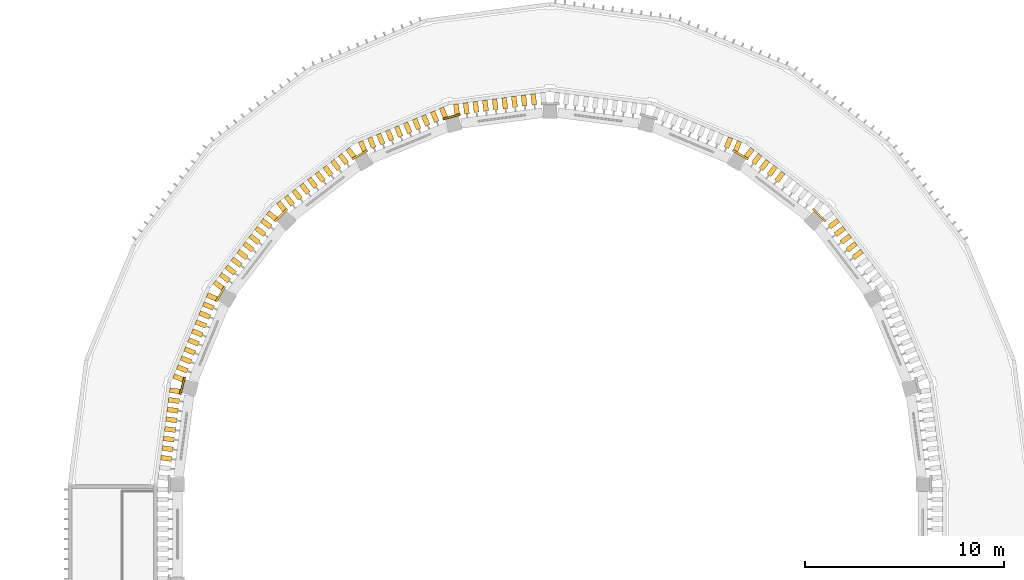
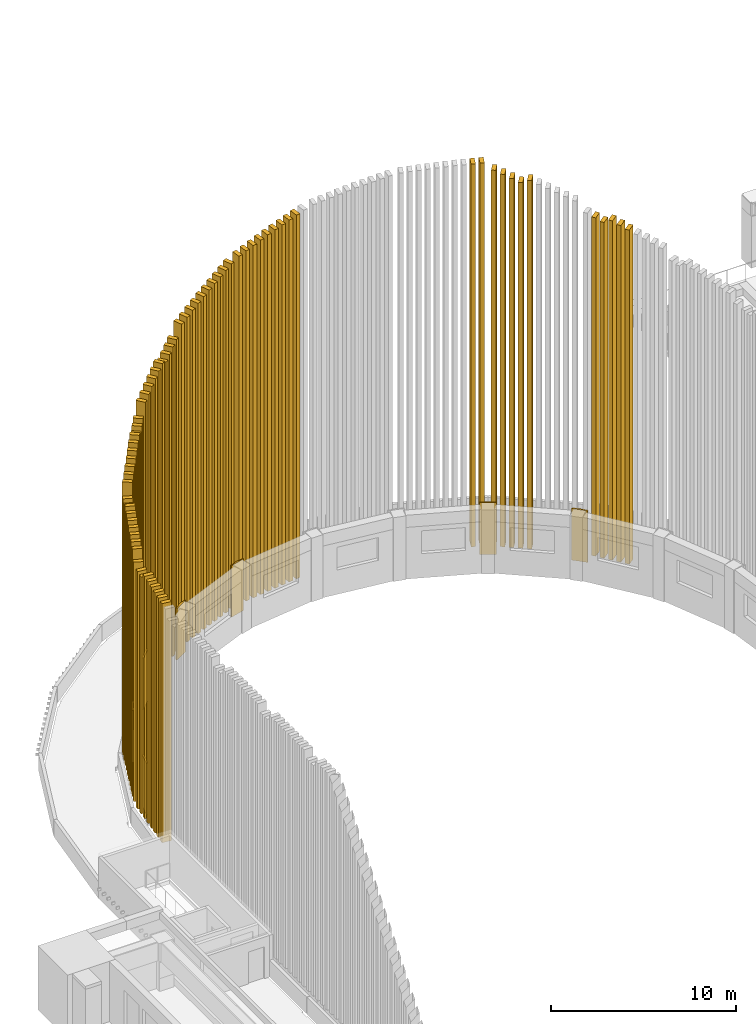
# One storey, part 58 of 68: 76 coverings.
"""IFC4 building model written with IfcOpenShell, lengths in metres."""

import ifcopenshell
import ifcopenshell.guid

model = None  # the IFC model being written
_history = None  # IfcOwnerHistory: only IFC2X3 demands one
_inside = {}  # id of a spatial element -> (the spatial element, [elements in it])
_under = {}  # id of a project, library or spatial element -> (it, [spatial elements below it])
_declared = {}  # id of a project -> (the project, [libraries it declares])
_typed = {}  # id of a type object -> (the type object, [elements of that type])
_made_of = {}  # id of a material, layer set ... -> (it, [elements and type objects made of it])


def new_model(schema):
    """Start an empty IFC model of exactly this schema.

    Asked for "IFC4X3", IfcOpenShell would pick the latest addendum, in which some entities
    have other attributes; the version numbers below select the first issue.
    IFC2X3 requires an IfcOwnerHistory on every rooted entity: one is made here for all.
    """
    global model, _history
    if schema == "IFC4X3":
        model = ifcopenshell.file(schema_version=(4, 3, 0, 0))
    else:
        model = ifcopenshell.file(schema=schema)
    _inside.clear()
    _under.clear()
    _declared.clear()
    _typed.clear()
    _made_of.clear()
    _history = None
    if model.schema == "IFC2X3":
        org = make("IfcOrganization", Name="unknown")
        user = make(
            "IfcPersonAndOrganization",
            ThePerson=make("IfcPerson", FamilyName="unknown"),
            TheOrganization=org,
        )
        app = make(
            "IfcApplication",
            ApplicationDeveloper=org,
            Version="unknown",
            ApplicationFullName="unknown",
            ApplicationIdentifier="unknown",
        )
        _history = make(
            "IfcOwnerHistory",
            OwningUser=user,
            OwningApplication=app,
            ChangeAction="ADDED",
            CreationDate=0,
        )
    return model


def make(cls, **values):
    """One entity of the class cls with the attributes given. An attribute that is None is left unset."""
    return model.create_entity(
        cls, **{name: value for name, value in values.items() if value is not None}
    )


def rooted(cls, **values):
    """An entity with a GlobalId (a new one), such as an element, a storey or a relation."""
    return make(cls, GlobalId=ifcopenshell.guid.new(), OwnerHistory=_history, **values)


def si_unit(unit_type, name, prefix=None):
    """IfcSIUnit, for example si_unit("LENGTHUNIT", "METRE", prefix="MILLI")."""
    return make("IfcSIUnit", UnitType=unit_type, Prefix=prefix, Name=name)


def assignment(units):
    """IfcUnitAssignment: the units of a project."""
    return None if units is None else make("IfcUnitAssignment", Units=units)


def point(xyz):
    """IfcCartesianPoint."""
    return None if xyz is None else make("IfcCartesianPoint", Coordinates=xyz)


def direction(xyz):
    """IfcDirection."""
    return None if xyz is None else make("IfcDirection", DirectionRatios=xyz)


def frame(location, z_axis=None, x_axis=None):
    """IfcAxis2Placement3D, a coordinate frame: its origin and axes. An axis left out is left unset."""
    return make(
        "IfcAxis2Placement3D",
        Location=point(location),
        Axis=direction(z_axis),
        RefDirection=direction(x_axis),
    )


def frame_2d(location, x_axis=None):
    """IfcAxis2Placement2D, a coordinate frame in the plane: its origin and x axis."""
    return make(
        "IfcAxis2Placement2D", Location=point(location), RefDirection=direction(x_axis)
    )


def origin():
    """The frame at (0, 0, 0) with its axes left unset."""
    return frame((0.0, 0.0, 0.0))


def origin_2d():
    """The frame at (0, 0) in the plane with its x axis left unset."""
    return frame_2d((0.0, 0.0))


def place(relative_to, where):
    """IfcLocalPlacement: puts the frame where relative to a parent placement (None: the world)."""
    return make(
        "IfcLocalPlacement", PlacementRelTo=relative_to, RelativePlacement=where
    )


def context(
    kind, dimensions, precision=None, world=None, true_north=None, identifier=None
):
    """IfcGeometricRepresentationContext, for example the 3D "Model" context."""
    return make(
        "IfcGeometricRepresentationContext",
        ContextIdentifier=identifier,
        ContextType=kind,
        CoordinateSpaceDimension=dimensions,
        Precision=precision,
        WorldCoordinateSystem=world,
        TrueNorth=true_north,
    )


def subcontext(parent, identifier, kind, view, scale=None):
    """IfcGeometricRepresentationSubContext, for example "Body" below "Model"."""
    return make(
        "IfcGeometricRepresentationSubContext",
        ContextIdentifier=identifier,
        ContextType=kind,
        ParentContext=parent,
        TargetScale=scale,
        TargetView=view,
    )


def project(units=None, contexts=None):
    """IfcProject with its units and contexts."""
    return rooted(
        "IfcProject",
        Name="project",
        RepresentationContexts=contexts,
        UnitsInContext=assignment(units),
    )


def spatial(cls, under=None, at=None, **own):
    """A site, building, storey or space (cls), placed at a placement, below another one or the project."""
    s = rooted(cls, ObjectPlacement=at, **own)
    if under is not None:
        _under.setdefault(under.id(), (under, []))[1].append(s)
    return s


def profile(cls, at=None, kind="AREA", **sizes):
    """A parametric profile (cls). Its sizes go by their IFC names, for example OverallWidth=200.0."""
    return make(cls, ProfileType=kind, Position=at, **sizes)


def rectangle(**sizes):
    """IfcRectangleProfileDef."""
    return profile("IfcRectangleProfileDef", **sizes)


def extrude(swept, where, along, depth):
    """IfcExtrudedAreaSolid: the profile swept, set in the frame where, extruded along a direction by depth."""
    return make(
        "IfcExtrudedAreaSolid",
        SweptArea=swept,
        Position=where,
        ExtrudedDirection=direction(along),
        Depth=depth,
    )


def shape(context_of_items, identifier, shape_type, items):
    """IfcShapeRepresentation: the items that make up one representation, for example the "Body"."""
    return make(
        "IfcShapeRepresentation",
        ContextOfItems=context_of_items,
        RepresentationIdentifier=identifier,
        RepresentationType=shape_type,
        Items=items,
    )


def material(Name=None, Category=None):
    """IfcMaterial."""
    return make("IfcMaterial", Name=Name, Category=Category)


def layer(
    of_material, thickness, ventilated=None, Name=None, Category=None, Priority=None
):
    """IfcMaterialLayer: one layer of a wall or slab, of a material (None: an air gap)."""
    return make(
        "IfcMaterialLayer",
        Material=of_material,
        LayerThickness=thickness,
        IsVentilated=ventilated,
        Name=Name,
        Category=Category,
        Priority=Priority,
    )


def layer_set(layers, Name=None):
    """IfcMaterialLayerSet."""
    return make("IfcMaterialLayerSet", MaterialLayers=layers, LayerSetName=Name)


def made_of(thing, what):
    """Note that an element or type object is made of a material, layer set ...; save() writes the relation."""
    if what is not None:
        _made_of.setdefault(what.id(), (what, []))[1].append(thing)
    return thing


def type_object(cls, material=None, **own):
    """A type object (cls), such as IfcWallType, which elements share."""
    return made_of(rooted(cls, **own), material)


def element(
    cls,
    number,
    at=None,
    inside=None,
    cuts=None,
    type_object=None,
    material=None,
    context=None,
    identifier="Body",
    shape_type=None,
    held_by="IfcProductDefinitionShape",
    body=None,
    shapes=None,
    **own,
):
    """One element of the class cls, such as IfcWall. Its Tag is "e" and its number.

    at: its placement. inside: the storey or other place that contains it. cuts: it is an
    opening in that element (IfcRelVoidsElement). A single representation is given by context,
    identifier, shape_type and body (its items); several are given by shapes. held_by: the class
    of the entity that holds the representations. save() writes the other relations.
    """
    e = rooted(cls, Tag="e%d" % number, ObjectPlacement=at, **own)
    if body is not None:
        shapes = [shape(context, identifier, shape_type, body)]
    if shapes is not None:
        e.Representation = make(held_by, Representations=shapes)
    if inside is not None:
        _inside.setdefault(inside.id(), (inside, []))[1].append(e)
    if cuts is not None:
        rooted(
            "IfcRelVoidsElement", RelatingBuildingElement=cuts, RelatedOpeningElement=e
        )
    if type_object is not None:
        _typed.setdefault(type_object.id(), (type_object, []))[1].append(e)
    return made_of(e, material)


def aggregate(whole, parts):
    """IfcRelAggregates: a whole, such as a stair, and the parts it consists of."""
    return rooted("IfcRelAggregates", RelatingObject=whole, RelatedObjects=parts)


def save(model, path):
    """Write the relations noted so far, then the file.

    IfcRelAggregates (storeys below a building ...), IfcRelContainedInSpatialStructure (elements
    in a storey), IfcRelDefinesByType, IfcRelAssociatesMaterial and IfcRelDeclares: one each for
    every whole, place, type object, material and project.
    """
    for whole, parts in _under.values():
        aggregate(whole, parts)
    for where, things in _inside.values():
        rooted(
            "IfcRelContainedInSpatialStructure",
            RelatedElements=things,
            RelatingStructure=where,
        )
    for kind, things in _typed.values():
        rooted("IfcRelDefinesByType", RelatedObjects=things, RelatingType=kind)
    for what, things in _made_of.values():
        rooted("IfcRelAssociatesMaterial", RelatedObjects=things, RelatingMaterial=what)
    for by, libraries in _declared.values():
        rooted("IfcRelDeclares", RelatingContext=by, RelatedDefinitions=libraries)
    model.write(path)


model = new_model("IFC4")

# Units and contexts
model_context = context("Model", 3, precision=1e-05, world=origin(), true_north=direction((0.0, 1.0)))
body_context = subcontext(model_context, "Body", "Model", "MODEL_VIEW")
ifc_project = project(units=[si_unit("LENGTHUNIT", "METRE"), si_unit("AREAUNIT", "SQUARE_METRE"), si_unit("VOLUMEUNIT", "CUBIC_METRE"), si_unit("PLANEANGLEUNIT", "RADIAN"), si_unit("MASSUNIT", "GRAM", prefix="KILO")], contexts=[model_context])

# Site, building, storey
site_placement = place(None, origin())
site = spatial("IfcSite", under=ifc_project, at=site_placement, CompositionType="ELEMENT")
building_placement = place(site_placement, origin())
building = spatial("IfcBuilding", under=site, at=building_placement, Name="Wasatch Bagh Community Centre", CompositionType="ELEMENT")
storey_placement = place(building_placement, frame((0.0, 0.0, 8.39990234375)))
storey = spatial("IfcBuildingStorey", under=building, at=storey_placement, Name="L02", CompositionType="ELEMENT", Elevation=8.39990234375)

# Coverings
ifc_material = material(Name="White precast concrete C40/50", Category="concrete")
ifc_layer_1 = layer(ifc_material, 0.10009765625)
ifc_layer_set_1 = layer_set([ifc_layer_1], Name="White precast concrete C40/50")
covering_type_1 = type_object("IfcCoveringType", Name="MH column casing", PredefinedType="CLADDING", material=ifc_layer_set_1)
for number, where, z_axis, x_axis, name in (
    (1, (49.541015625, 78.541015625, 0.800048828125), (0.0, 0.0, 1.0), (-0.707106781187, 0.707106781187, 0.0), "Column casing N3 L02"),
    (2, (45.574951171875, 81.58447265625, 0.800048828125), (0.0, 0.0, 1.0), (-0.866025403784, 0.5, 0.0), "Column casing N4 L02"),
    (3, (31.043701171875, 83.49755859375, 0.800048828125), (0.0, 0.0, 1.0), (-0.965925826289, -0.258819045103, 0.0), "Column casing N7 L02"),
    (4, (26.425048828125, 81.58447265625, 0.800048828125), (0.0, 0.0, 1.0), (-0.866025403784, -0.5, 0.0), "Column casing N8 L02"),
    (5, (22.458984375, 78.541015625, 0.800048828125), (0.0, 0.0, 1.0), (-0.707106781187, -0.707106781187, 0.0), "Column casing N9 L02"),
    (6, (19.41552734375, 74.574951171875, 0.800048828125), (0.0, 0.0, 1.0), (-0.5, -0.866025403784, 0.0), "Column casing N10 L02"),
    (7, (17.50244140625, 69.956298828125, 0.800048828125), (0.0, 0.0, 1.0), (-0.258819045103, -0.965925826289, 0.0), "Column casing N11 L02"),
):
    element("IfcCovering", number, at=place(storey_placement, frame(where, z_axis=z_axis, x_axis=x_axis)), inside=storey, type_object=covering_type_1, Name=name, PredefinedType="CLADDING", context=body_context, shape_type="SweptSolid", body=[
        extrude(rectangle(XDim=0.89990234375, YDim=0.10009765625, at=origin_2d()), origin(), (0.0, 0.0, 1.0), 3.39990234375),
    ])
ifc_layer_2 = layer(ifc_material, 0.25)
ifc_layer_set_2 = layer_set([ifc_layer_2], Name="White precast concrete C40/50")
covering_type_2 = type_object("IfcCoveringType", Name="MH vertical fin", PredefinedType="CLADDING", material=ifc_layer_set_2)
covering_1_placement = place(storey_placement, frame((51.47216796875, 76.563720703125, 1.300048828125), z_axis=(0.0, 0.0, 1.0), x_axis=(-0.608761429009, 0.793353340291, 0.0)))
element("IfcCovering", 8, at=covering_1_placement, inside=storey, type_object=covering_type_2, Name="Fin 21.5", PredefinedType="CLADDING", context=body_context, shape_type="SweptSolid", body=[
    extrude(rectangle(XDim=0.25, YDim=0.550048828125, at=origin_2d()), origin(), (0.0, 0.0, 1.0), 22.00390625),
])
covering_2_placement = place(storey_placement, frame((51.17431640625, 76.9521484375, 1.30029296875), z_axis=(0.0, 0.0, 1.0), x_axis=(-0.608761429009, 0.793353340291, 0.0)))
element("IfcCovering", 9, at=covering_2_placement, inside=storey, type_object=covering_type_2, Name="Fin 21.6", PredefinedType="CLADDING", context=body_context, shape_type="SweptSolid", body=[
    extrude(rectangle(XDim=0.25, YDim=0.550048828125, at=origin_2d()), origin(), (0.0, 0.0, 1.0), 22.176025390625),
])
covering_3_placement = place(storey_placement, frame((50.876220703125, 77.340576171875, 1.300048828125), z_axis=(0.0, 0.0, 1.0), x_axis=(-0.608761429009, 0.793353340291, 0.0)))
element("IfcCovering", 10, at=covering_3_placement, inside=storey, type_object=covering_type_2, Name="Fin 21.7", PredefinedType="CLADDING", context=body_context, shape_type="SweptSolid", body=[
    extrude(rectangle(XDim=0.25, YDim=0.550048828125, at=origin_2d()), origin(), (0.0, 0.0, 1.0), 22.34814453125),
])
covering_4_placement = place(storey_placement, frame((50.578369140625, 77.728759765625, 1.30029296875), z_axis=(0.0, 0.0, 1.0), x_axis=(-0.608761429009, 0.793353340291, 0.0)))
element("IfcCovering", 11, at=covering_4_placement, inside=storey, type_object=covering_type_2, Name="Fin 21.8", PredefinedType="CLADDING", context=body_context, shape_type="SweptSolid", body=[
    extrude(rectangle(XDim=0.25, YDim=0.550048828125, at=origin_2d()), origin(), (0.0, 0.0, 1.0), 22.114501953125),
])
covering_5_placement = place(storey_placement, frame((50.2802734375, 78.1171875, 1.300048828125), z_axis=(0.0, 0.0, 1.0), x_axis=(-0.608761429009, 0.793353340291, 0.0)))
element("IfcCovering", 12, at=covering_5_placement, inside=storey, type_object=covering_type_2, Name="Fin 21.9", PredefinedType="CLADDING", context=body_context, shape_type="SweptSolid", body=[
    extrude(rectangle(XDim=0.25, YDim=0.550048828125, at=origin_2d()), origin(), (0.0, 0.0, 1.0), 22.28662109375),
])
covering_6_placement = place(storey_placement, frame((47.563720703125, 80.47216796875, 1.30029296875), z_axis=(0.0, 0.0, 1.0), x_axis=(-0.793353340291, 0.608761429009, 0.0)))
element("IfcCovering", 13, at=covering_6_placement, inside=storey, type_object=covering_type_2, Name="Fin 22.6", PredefinedType="CLADDING", context=body_context, shape_type="SweptSolid", body=[
    extrude(rectangle(XDim=0.25, YDim=0.550048828125, at=origin_2d()), origin(), (0.0, 0.0, 1.0), 24.260498046875),
])
covering_7_placement = place(storey_placement, frame((47.175537109375, 80.770263671875, 1.300048828125), z_axis=(0.0, 0.0, 1.0), x_axis=(-0.793353340291, 0.608761429009, 0.0)))
element("IfcCovering", 14, at=covering_7_placement, inside=storey, type_object=covering_type_2, Name="Fin 22.7", PredefinedType="CLADDING", context=body_context, shape_type="SweptSolid", body=[
    extrude(rectangle(XDim=0.25, YDim=0.550048828125, at=origin_2d()), origin(), (0.0, 0.0, 1.0), 24.0791015625),
])
covering_8_placement = place(storey_placement, frame((46.787109375, 81.068115234375, 1.300048828125), z_axis=(0.0, 0.0, 1.0), x_axis=(-0.793353340291, 0.608761429009, 0.0)))
element("IfcCovering", 15, at=covering_8_placement, inside=storey, type_object=covering_type_2, Name="Fin 22.8", PredefinedType="CLADDING", context=body_context, shape_type="SweptSolid", body=[
    extrude(rectangle(XDim=0.25, YDim=0.550048828125, at=origin_2d()), origin(), (0.0, 0.0, 1.0), 24.30322265625),
])
covering_9_placement = place(storey_placement, frame((46.39892578125, 81.3662109375, 1.30029296875), z_axis=(0.0, 0.0, 1.0), x_axis=(-0.793353340291, 0.608761429009, 0.0)))
element("IfcCovering", 16, at=covering_9_placement, inside=storey, type_object=covering_type_2, Name="Fin 22.9", PredefinedType="CLADDING", context=body_context, shape_type="SweptSolid", body=[
    extrude(rectangle(XDim=0.25, YDim=0.550048828125, at=origin_2d()), origin(), (0.0, 0.0, 1.0), 24.527587890625),
])
covering_10_placement = place(storey_placement, frame((46.010498046875, 81.6640625, 1.30029296875), z_axis=(0.0, 0.0, 1.0), x_axis=(-0.793353340291, 0.608761429009, 0.0)))
element("IfcCovering", 17, at=covering_10_placement, inside=storey, type_object=covering_type_2, Name="Fin 22.10", PredefinedType="CLADDING", context=body_context, shape_type="SweptSolid", body=[
    extrude(rectangle(XDim=0.25, YDim=0.550048828125, at=origin_2d()), origin(), (0.0, 0.0, 1.0), 24.751708984375),
])
covering_11_placement = place(storey_placement, frame((45.42626953125, 82.00146484375, 1.2998046875), z_axis=(0.0, 0.0, 1.0), x_axis=(-0.923879532511, 0.382683432365, 0.0)))
element("IfcCovering", 18, at=covering_11_placement, inside=storey, type_object=covering_type_2, Name="Fin 23.1", PredefinedType="CLADDING", context=body_context, shape_type="SweptSolid", body=[
    extrude(rectangle(XDim=0.25, YDim=0.550048828125, at=origin_2d()), origin(), (0.0, 0.0, 1.0), 25.218505859375),
])
covering_12_placement = place(storey_placement, frame((44.97412109375, 82.188720703125, 1.30029296875), z_axis=(0.0, 0.0, 1.0), x_axis=(-0.923879532511, 0.382683432365, 0.0)))
element("IfcCovering", 19, at=covering_12_placement, inside=storey, type_object=covering_type_2, Name="Fin 23.2", PredefinedType="CLADDING", context=body_context, shape_type="SweptSolid", body=[
    extrude(rectangle(XDim=0.25, YDim=0.550048828125, at=origin_2d()), origin(), (0.0, 0.0, 1.0), 25.206787109375),
])
covering_13_placement = place(storey_placement, frame((35.177490234375, 84.373046875, 1.30029296875), z_axis=(0.0, 0.0, 1.0), x_axis=(-0.991444861374, -0.13052619222, 0.0)))
element("IfcCovering", 20, at=covering_13_placement, inside=storey, type_object=covering_type_2, Name="Fin 25.2", PredefinedType="CLADDING", context=body_context, shape_type="SweptSolid", body=[
    extrude(rectangle(XDim=0.25, YDim=0.550048828125, at=origin_2d()), origin(), (0.0, 0.0, 1.0), 23.953369140625),
])
covering_14_placement = place(storey_placement, frame((34.692138671875, 84.30908203125, 1.30029296875), z_axis=(0.0, 0.0, 1.0), x_axis=(-0.991444861374, -0.13052619222, 0.0)))
element("IfcCovering", 21, at=covering_14_placement, inside=storey, type_object=covering_type_2, Name="Fin 25.3", PredefinedType="CLADDING", context=body_context, shape_type="SweptSolid", body=[
    extrude(rectangle(XDim=0.25, YDim=0.550048828125, at=origin_2d()), origin(), (0.0, 0.0, 1.0), 23.838623046875),
])
covering_15_placement = place(storey_placement, frame((34.206787109375, 84.2451171875, 1.2998046875), z_axis=(0.0, 0.0, 1.0), x_axis=(-0.991444861374, -0.13052619222, 0.0)))
element("IfcCovering", 22, at=covering_15_placement, inside=storey, type_object=covering_type_2, Name="Fin 25.4", PredefinedType="CLADDING", context=body_context, shape_type="SweptSolid", body=[
    extrude(rectangle(XDim=0.25, YDim=0.550048828125, at=origin_2d()), origin(), (0.0, 0.0, 1.0), 23.723876953125),
])
covering_16_placement = place(storey_placement, frame((33.7216796875, 84.181396484375, 1.300048828125), z_axis=(0.0, 0.0, 1.0), x_axis=(-0.991444861374, -0.13052619222, 0.0)))
element("IfcCovering", 23, at=covering_16_placement, inside=storey, type_object=covering_type_2, Name="Fin 25.5", PredefinedType="CLADDING", context=body_context, shape_type="SweptSolid", body=[
    extrude(rectangle(XDim=0.25, YDim=0.550048828125, at=origin_2d()), origin(), (0.0, 0.0, 1.0), 23.60888671875),
])
covering_17_placement = place(storey_placement, frame((33.236328125, 84.117431640625, 1.30029296875), z_axis=(0.0, 0.0, 1.0), x_axis=(-0.991444861374, -0.13052619222, 0.0)))
element("IfcCovering", 24, at=covering_17_placement, inside=storey, type_object=covering_type_2, Name="Fin 25.6", PredefinedType="CLADDING", context=body_context, shape_type="SweptSolid", body=[
    extrude(rectangle(XDim=0.25, YDim=0.550048828125, at=origin_2d()), origin(), (0.0, 0.0, 1.0), 23.486572265625),
])
covering_18_placement = place(storey_placement, frame((32.7509765625, 84.053466796875, 1.30029296875), z_axis=(0.0, 0.0, 1.0), x_axis=(-0.991444861374, -0.13052619222, 0.0)))
element("IfcCovering", 25, at=covering_18_placement, inside=storey, type_object=covering_type_2, Name="Fin 25.7", PredefinedType="CLADDING", context=body_context, shape_type="SweptSolid", body=[
    extrude(rectangle(XDim=0.25, YDim=0.550048828125, at=origin_2d()), origin(), (0.0, 0.0, 1.0), 23.344970703125),
])
covering_19_placement = place(storey_placement, frame((32.265625, 83.98974609375, 1.300048828125), z_axis=(0.0, 0.0, 1.0), x_axis=(-0.991444861374, -0.13052619222, 0.0)))
element("IfcCovering", 26, at=covering_19_placement, inside=storey, type_object=covering_type_2, Name="Fin 25.8", PredefinedType="CLADDING", context=body_context, shape_type="SweptSolid", body=[
    extrude(rectangle(XDim=0.25, YDim=0.550048828125, at=origin_2d()), origin(), (0.0, 0.0, 1.0), 23.203125),
])
covering_20_placement = place(storey_placement, frame((31.780517578125, 83.92578125, 1.300048828125), z_axis=(0.0, 0.0, 1.0), x_axis=(-0.991444861374, -0.13052619222, 0.0)))
element("IfcCovering", 27, at=covering_20_placement, inside=storey, type_object=covering_type_2, Name="Fin 25.9", PredefinedType="CLADDING", context=body_context, shape_type="SweptSolid", body=[
    extrude(rectangle(XDim=0.25, YDim=0.550048828125, at=origin_2d()), origin(), (0.0, 0.0, 1.0), 23.0615234375),
])
covering_21_placement = place(storey_placement, frame((31.295166015625, 83.86181640625, 1.300048828125), z_axis=(0.0, 0.0, 1.0), x_axis=(-0.991444861374, -0.13052619222, 0.0)))
element("IfcCovering", 28, at=covering_21_placement, inside=storey, type_object=covering_type_2, Name="Fin 25.10", PredefinedType="CLADDING", context=body_context, shape_type="SweptSolid", body=[
    extrude(rectangle(XDim=0.25, YDim=0.550048828125, at=origin_2d()), origin(), (0.0, 0.0, 1.0), 22.919921875),
])
covering_22_placement = place(storey_placement, frame((30.6435546875, 83.687255859375, 1.300048828125), z_axis=(0.0, 0.0, 1.0), x_axis=(-0.923879532511, -0.382683432365, 0.0)))
element("IfcCovering", 29, at=covering_22_placement, inside=storey, type_object=covering_type_2, Name="Fin 26.1", PredefinedType="CLADDING", context=body_context, shape_type="SweptSolid", body=[
    extrude(rectangle(XDim=0.25, YDim=0.550048828125, at=origin_2d()), origin(), (0.0, 0.0, 1.0), 22.72119140625),
])
covering_23_placement = place(storey_placement, frame((30.19140625, 83.5, 1.30029296875), z_axis=(0.0, 0.0, 1.0), x_axis=(-0.923879532511, -0.382683432365, 0.0)))
element("IfcCovering", 30, at=covering_23_placement, inside=storey, type_object=covering_type_2, Name="Fin 26.2", PredefinedType="CLADDING", context=body_context, shape_type="SweptSolid", body=[
    extrude(rectangle(XDim=0.25, YDim=0.550048828125, at=origin_2d()), origin(), (0.0, 0.0, 1.0), 22.563232421875),
])
covering_24_placement = place(storey_placement, frame((29.7392578125, 83.312744140625, 1.30029296875), z_axis=(0.0, 0.0, 1.0), x_axis=(-0.923879532511, -0.382683432365, 0.0)))
element("IfcCovering", 31, at=covering_24_placement, inside=storey, type_object=covering_type_2, Name="Fin 26.3", PredefinedType="CLADDING", context=body_context, shape_type="SweptSolid", body=[
    extrude(rectangle(XDim=0.25, YDim=0.550048828125, at=origin_2d()), origin(), (0.0, 0.0, 1.0), 22.405517578125),
])
covering_25_placement = place(storey_placement, frame((29.286865234375, 83.125244140625, 1.30029296875), z_axis=(0.0, 0.0, 1.0), x_axis=(-0.923879532511, -0.382683432365, 0.0)))
element("IfcCovering", 32, at=covering_25_placement, inside=storey, type_object=covering_type_2, Name="Fin 26.4", PredefinedType="CLADDING", context=body_context, shape_type="SweptSolid", body=[
    extrude(rectangle(XDim=0.25, YDim=0.550048828125, at=origin_2d()), origin(), (0.0, 0.0, 1.0), 22.247802734375),
])
covering_26_placement = place(storey_placement, frame((28.834716796875, 82.93798828125, 1.30029296875), z_axis=(0.0, 0.0, 1.0), x_axis=(-0.923879532511, -0.382683432365, 0.0)))
element("IfcCovering", 33, at=covering_26_placement, inside=storey, type_object=covering_type_2, Name="Fin 26.5", PredefinedType="CLADDING", context=body_context, shape_type="SweptSolid", body=[
    extrude(rectangle(XDim=0.25, YDim=0.550048828125, at=origin_2d()), origin(), (0.0, 0.0, 1.0), 22.090087890625),
])
covering_27_placement = place(storey_placement, frame((28.382568359375, 82.750732421875, 1.30029296875), z_axis=(0.0, 0.0, 1.0), x_axis=(-0.923879532511, -0.382683432365, 0.0)))
element("IfcCovering", 34, at=covering_27_placement, inside=storey, type_object=covering_type_2, Name="Fin 26.6", PredefinedType="CLADDING", context=body_context, shape_type="SweptSolid", body=[
    extrude(rectangle(XDim=0.25, YDim=0.550048828125, at=origin_2d()), origin(), (0.0, 0.0, 1.0), 21.932373046875),
])
covering_28_placement = place(storey_placement, frame((27.930419921875, 82.5634765625, 1.30029296875), z_axis=(0.0, 0.0, 1.0), x_axis=(-0.923879532511, -0.382683432365, 0.0)))
element("IfcCovering", 35, at=covering_28_placement, inside=storey, type_object=covering_type_2, Name="Fin 26.7", PredefinedType="CLADDING", context=body_context, shape_type="SweptSolid", body=[
    extrude(rectangle(XDim=0.25, YDim=0.550048828125, at=origin_2d()), origin(), (0.0, 0.0, 1.0), 21.755126953125),
])
covering_29_placement = place(storey_placement, frame((27.47802734375, 82.3759765625, 1.30029296875), z_axis=(0.0, 0.0, 1.0), x_axis=(-0.923879532511, -0.382683432365, 0.0)))
element("IfcCovering", 36, at=covering_29_placement, inside=storey, type_object=covering_type_2, Name="Fin 26.8", PredefinedType="CLADDING", context=body_context, shape_type="SweptSolid", body=[
    extrude(rectangle(XDim=0.25, YDim=0.550048828125, at=origin_2d()), origin(), (0.0, 0.0, 1.0), 21.570556640625),
])
covering_30_placement = place(storey_placement, frame((27.02587890625, 82.188720703125, 1.300048828125), z_axis=(0.0, 0.0, 1.0), x_axis=(-0.923879532511, -0.382683432365, 0.0)))
element("IfcCovering", 37, at=covering_30_placement, inside=storey, type_object=covering_type_2, Name="Fin 26.9", PredefinedType="CLADDING", context=body_context, shape_type="SweptSolid", body=[
    extrude(rectangle(XDim=0.25, YDim=0.550048828125, at=origin_2d()), origin(), (0.0, 0.0, 1.0), 21.38623046875),
])
covering_31_placement = place(storey_placement, frame((26.57373046875, 82.00146484375, 1.300048828125), z_axis=(0.0, 0.0, 1.0), x_axis=(-0.923879532511, -0.382683432365, 0.0)))
element("IfcCovering", 38, at=covering_31_placement, inside=storey, type_object=covering_type_2, Name="Fin 26.10", PredefinedType="CLADDING", context=body_context, shape_type="SweptSolid", body=[
    extrude(rectangle(XDim=0.25, YDim=0.550048828125, at=origin_2d()), origin(), (0.0, 0.0, 1.0), 21.20166015625),
])
covering_32_placement = place(storey_placement, frame((25.989501953125, 81.6640625, 1.30029296875), z_axis=(0.0, 0.0, 1.0), x_axis=(-0.793353340291, -0.608761429009, 0.0)))
element("IfcCovering", 39, at=covering_32_placement, inside=storey, type_object=covering_type_2, Name="Fin 27.1", PredefinedType="CLADDING", context=body_context, shape_type="SweptSolid", body=[
    extrude(rectangle(XDim=0.25, YDim=0.550048828125, at=origin_2d()), origin(), (0.0, 0.0, 1.0), 20.557861328125),
])
covering_33_placement = place(storey_placement, frame((25.60107421875, 81.3662109375, 1.2998046875), z_axis=(0.0, 0.0, 1.0), x_axis=(-0.793353340291, -0.608761429009, 0.0)))
element("IfcCovering", 40, at=covering_33_placement, inside=storey, type_object=covering_type_2, Name="Fin 27.2", PredefinedType="CLADDING", context=body_context, shape_type="SweptSolid", body=[
    extrude(rectangle(XDim=0.25, YDim=0.550048828125, at=origin_2d()), origin(), (0.0, 0.0, 1.0), 20.388916015625),
])
covering_34_placement = place(storey_placement, frame((25.212890625, 81.068115234375, 1.300048828125), z_axis=(0.0, 0.0, 1.0), x_axis=(-0.793353340291, -0.608761429009, 0.0)))
element("IfcCovering", 41, at=covering_34_placement, inside=storey, type_object=covering_type_2, Name="Fin 27.3", PredefinedType="CLADDING", context=body_context, shape_type="SweptSolid", body=[
    extrude(rectangle(XDim=0.25, YDim=0.550048828125, at=origin_2d()), origin(), (0.0, 0.0, 1.0), 20.20654296875),
])
covering_35_placement = place(storey_placement, frame((24.824462890625, 80.770263671875, 1.30029296875), z_axis=(0.0, 0.0, 1.0), x_axis=(-0.793353340291, -0.608761429009, 0.0)))
element("IfcCovering", 42, at=covering_35_placement, inside=storey, type_object=covering_type_2, Name="Fin 27.4", PredefinedType="CLADDING", context=body_context, shape_type="SweptSolid", body=[
    extrude(rectangle(XDim=0.25, YDim=0.550048828125, at=origin_2d()), origin(), (0.0, 0.0, 1.0), 20.024169921875),
])
covering_36_placement = place(storey_placement, frame((24.436279296875, 80.47216796875, 1.300048828125), z_axis=(0.0, 0.0, 1.0), x_axis=(-0.793353340291, -0.608761429009, 0.0)))
element("IfcCovering", 43, at=covering_36_placement, inside=storey, type_object=covering_type_2, Name="Fin 27.5", PredefinedType="CLADDING", context=body_context, shape_type="SweptSolid", body=[
    extrude(rectangle(XDim=0.25, YDim=0.550048828125, at=origin_2d()), origin(), (0.0, 0.0, 1.0), 20.24755859375),
])
covering_37_placement = place(storey_placement, frame((24.0478515625, 80.17431640625, 1.30029296875), z_axis=(0.0, 0.0, 1.0), x_axis=(-0.793353340291, -0.608761429009, 0.0)))
element("IfcCovering", 44, at=covering_37_placement, inside=storey, type_object=covering_type_2, Name="Fin 27.6", PredefinedType="CLADDING", context=body_context, shape_type="SweptSolid", body=[
    extrude(rectangle(XDim=0.25, YDim=0.550048828125, at=origin_2d()), origin(), (0.0, 0.0, 1.0), 20.065185546875),
])
covering_38_placement = place(storey_placement, frame((23.659423828125, 79.876220703125, 1.300048828125), z_axis=(0.0, 0.0, 1.0), x_axis=(-0.793353340291, -0.608761429009, 0.0)))
element("IfcCovering", 45, at=covering_38_placement, inside=storey, type_object=covering_type_2, Name="Fin 27.7", PredefinedType="CLADDING", context=body_context, shape_type="SweptSolid", body=[
    extrude(rectangle(XDim=0.25, YDim=0.550048828125, at=origin_2d()), origin(), (0.0, 0.0, 1.0), 19.8828125),
])
covering_39_placement = place(storey_placement, frame((23.271240234375, 79.578369140625, 1.300048828125), z_axis=(0.0, 0.0, 1.0), x_axis=(-0.793353340291, -0.608761429009, 0.0)))
element("IfcCovering", 46, at=covering_39_placement, inside=storey, type_object=covering_type_2, Name="Fin 27.8", PredefinedType="CLADDING", context=body_context, shape_type="SweptSolid", body=[
    extrude(rectangle(XDim=0.25, YDim=0.550048828125, at=origin_2d()), origin(), (0.0, 0.0, 1.0), 19.69580078125),
])
covering_40_placement = place(storey_placement, frame((22.8828125, 79.2802734375, 1.30029296875), z_axis=(0.0, 0.0, 1.0), x_axis=(-0.793353340291, -0.608761429009, 0.0)))
element("IfcCovering", 47, at=covering_40_placement, inside=storey, type_object=covering_type_2, Name="Fin 27.9", PredefinedType="CLADDING", context=body_context, shape_type="SweptSolid", body=[
    extrude(rectangle(XDim=0.25, YDim=0.550048828125, at=origin_2d()), origin(), (0.0, 0.0, 1.0), 19.488525390625),
])
covering_41_placement = place(storey_placement, frame((22.49462890625, 78.982421875, 1.30029296875), z_axis=(0.0, 0.0, 1.0), x_axis=(-0.793353340291, -0.608761429009, 0.0)))
element("IfcCovering", 48, at=covering_41_placement, inside=storey, type_object=covering_type_2, Name="Fin 27.10", PredefinedType="CLADDING", context=body_context, shape_type="SweptSolid", body=[
    extrude(rectangle(XDim=0.25, YDim=0.550048828125, at=origin_2d()), origin(), (0.0, 0.0, 1.0), 19.281005859375),
])
covering_42_placement = place(storey_placement, frame((22.017578125, 78.50537109375, 1.300048828125), z_axis=(0.0, 0.0, 1.0), x_axis=(-0.608761429009, -0.793353340291, 0.0)))
element("IfcCovering", 49, at=covering_42_placement, inside=storey, type_object=covering_type_2, Name="Fin 28.1", PredefinedType="CLADDING", context=body_context, shape_type="SweptSolid", body=[
    extrude(rectangle(XDim=0.25, YDim=0.550048828125, at=origin_2d()), origin(), (0.0, 0.0, 1.0), 18.62060546875),
])
covering_43_placement = place(storey_placement, frame((21.7197265625, 78.1171875, 1.300048828125), z_axis=(0.0, 0.0, 1.0), x_axis=(-0.608761429009, -0.793353340291, 0.0)))
element("IfcCovering", 50, at=covering_43_placement, inside=storey, type_object=covering_type_2, Name="Fin 28.2", PredefinedType="CLADDING", context=body_context, shape_type="SweptSolid", body=[
    extrude(rectangle(XDim=0.25, YDim=0.550048828125, at=origin_2d()), origin(), (0.0, 0.0, 1.0), 18.46142578125),
])
covering_44_placement = place(storey_placement, frame((21.421630859375, 77.728759765625, 1.300048828125), z_axis=(0.0, 0.0, 1.0), x_axis=(-0.608761429009, -0.793353340291, 0.0)))
element("IfcCovering", 51, at=covering_44_placement, inside=storey, type_object=covering_type_2, Name="Fin 28.3", PredefinedType="CLADDING", context=body_context, shape_type="SweptSolid", body=[
    extrude(rectangle(XDim=0.25, YDim=0.550048828125, at=origin_2d()), origin(), (0.0, 0.0, 1.0), 18.30224609375),
])
covering_45_placement = place(storey_placement, frame((21.123779296875, 77.340576171875, 1.300048828125), z_axis=(0.0, 0.0, 1.0), x_axis=(-0.608761429009, -0.793353340291, 0.0)))
element("IfcCovering", 52, at=covering_45_placement, inside=storey, type_object=covering_type_2, Name="Fin 28.4", PredefinedType="CLADDING", context=body_context, shape_type="SweptSolid", body=[
    extrude(rectangle(XDim=0.25, YDim=0.550048828125, at=origin_2d()), origin(), (0.0, 0.0, 1.0), 18.548828125),
])
covering_46_placement = place(storey_placement, frame((20.82568359375, 76.9521484375, 1.300048828125), z_axis=(0.0, 0.0, 1.0), x_axis=(-0.608761429009, -0.793353340291, 0.0)))
element("IfcCovering", 53, at=covering_46_placement, inside=storey, type_object=covering_type_2, Name="Fin 28.5", PredefinedType="CLADDING", context=body_context, shape_type="SweptSolid", body=[
    extrude(rectangle(XDim=0.25, YDim=0.550048828125, at=origin_2d()), origin(), (0.0, 0.0, 1.0), 18.37939453125),
])
covering_47_placement = place(storey_placement, frame((20.52783203125, 76.563720703125, 1.30029296875), z_axis=(0.0, 0.0, 1.0), x_axis=(-0.608761429009, -0.793353340291, 0.0)))
element("IfcCovering", 54, at=covering_47_placement, inside=storey, type_object=covering_type_2, Name="Fin 28.6", PredefinedType="CLADDING", context=body_context, shape_type="SweptSolid", body=[
    extrude(rectangle(XDim=0.25, YDim=0.550048828125, at=origin_2d()), origin(), (0.0, 0.0, 1.0), 18.199951171875),
])
covering_48_placement = place(storey_placement, frame((20.229736328125, 76.175537109375, 1.300048828125), z_axis=(0.0, 0.0, 1.0), x_axis=(-0.608761429009, -0.793353340291, 0.0)))
element("IfcCovering", 55, at=covering_48_placement, inside=storey, type_object=covering_type_2, Name="Fin 28.7", PredefinedType="CLADDING", context=body_context, shape_type="SweptSolid", body=[
    extrude(rectangle(XDim=0.25, YDim=0.550048828125, at=origin_2d()), origin(), (0.0, 0.0, 1.0), 18.0205078125),
])
covering_49_placement = place(storey_placement, frame((19.931884765625, 75.787109375, 1.300048828125), z_axis=(0.0, 0.0, 1.0), x_axis=(-0.608761429009, -0.793353340291, 0.0)))
element("IfcCovering", 56, at=covering_49_placement, inside=storey, type_object=covering_type_2, Name="Fin 28.8", PredefinedType="CLADDING", context=body_context, shape_type="SweptSolid", body=[
    extrude(rectangle(XDim=0.25, YDim=0.550048828125, at=origin_2d()), origin(), (0.0, 0.0, 1.0), 17.8408203125),
])
covering_50_placement = place(storey_placement, frame((19.6337890625, 75.39892578125, 1.30029296875), z_axis=(0.0, 0.0, 1.0), x_axis=(-0.608761429009, -0.793353340291, 0.0)))
element("IfcCovering", 57, at=covering_50_placement, inside=storey, type_object=covering_type_2, Name="Fin 28.9", PredefinedType="CLADDING", context=body_context, shape_type="SweptSolid", body=[
    extrude(rectangle(XDim=0.25, YDim=0.550048828125, at=origin_2d()), origin(), (0.0, 0.0, 1.0), 17.661376953125),
])
covering_51_placement = place(storey_placement, frame((19.3359375, 75.010498046875, 1.300048828125), z_axis=(0.0, 0.0, 1.0), x_axis=(-0.608761429009, -0.793353340291, 0.0)))
element("IfcCovering", 58, at=covering_51_placement, inside=storey, type_object=covering_type_2, Name="Fin 28.10", PredefinedType="CLADDING", context=body_context, shape_type="SweptSolid", body=[
    extrude(rectangle(XDim=0.25, YDim=0.550048828125, at=origin_2d()), origin(), (0.0, 0.0, 1.0), 17.48193359375),
])
covering_52_placement = place(storey_placement, frame((18.99853515625, 74.42626953125, 1.300048828125), z_axis=(0.0, 0.0, 1.0), x_axis=(-0.382683432365, -0.923879532511, 0.0)))
element("IfcCovering", 59, at=covering_52_placement, inside=storey, type_object=covering_type_2, Name="Fin 29.1", PredefinedType="CLADDING", context=body_context, shape_type="SweptSolid", body=[
    extrude(rectangle(XDim=0.25, YDim=0.550048828125, at=origin_2d()), origin(), (0.0, 0.0, 1.0), 16.873046875),
])
covering_53_placement = place(storey_placement, frame((18.811279296875, 73.97412109375, 1.300048828125), z_axis=(0.0, 0.0, 1.0), x_axis=(-0.382683432365, -0.923879532511, 0.0)))
element("IfcCovering", 60, at=covering_53_placement, inside=storey, type_object=covering_type_2, Name="Fin 29.2", PredefinedType="CLADDING", context=body_context, shape_type="SweptSolid", body=[
    extrude(rectangle(XDim=0.25, YDim=0.550048828125, at=origin_2d()), origin(), (0.0, 0.0, 1.0), 16.76025390625),
])
covering_54_placement = place(storey_placement, frame((18.6240234375, 73.52197265625, 1.300048828125), z_axis=(0.0, 0.0, 1.0), x_axis=(-0.382683432365, -0.923879532511, 0.0)))
element("IfcCovering", 61, at=covering_54_placement, inside=storey, type_object=covering_type_2, Name="Fin 29.3", PredefinedType="CLADDING", context=body_context, shape_type="SweptSolid", body=[
    extrude(rectangle(XDim=0.25, YDim=0.550048828125, at=origin_2d()), origin(), (0.0, 0.0, 1.0), 17.04931640625),
])
covering_55_placement = place(storey_placement, frame((18.4365234375, 73.069580078125, 1.300048828125), z_axis=(0.0, 0.0, 1.0), x_axis=(-0.382683432365, -0.923879532511, 0.0)))
element("IfcCovering", 62, at=covering_55_placement, inside=storey, type_object=covering_type_2, Name="Fin 29.4", PredefinedType="CLADDING", context=body_context, shape_type="SweptSolid", body=[
    extrude(rectangle(XDim=0.25, YDim=0.550048828125, at=origin_2d()), origin(), (0.0, 0.0, 1.0), 16.9228515625),
])
covering_56_placement = place(storey_placement, frame((18.249267578125, 72.617431640625, 1.300048828125), z_axis=(0.0, 0.0, 1.0), x_axis=(-0.382683432365, -0.923879532511, 0.0)))
element("IfcCovering", 63, at=covering_56_placement, inside=storey, type_object=covering_type_2, Name="Fin 29.5", PredefinedType="CLADDING", context=body_context, shape_type="SweptSolid", body=[
    extrude(rectangle(XDim=0.25, YDim=0.550048828125, at=origin_2d()), origin(), (0.0, 0.0, 1.0), 16.79638671875),
])
covering_57_placement = place(storey_placement, frame((18.06201171875, 72.165283203125, 1.300048828125), z_axis=(0.0, 0.0, 1.0), x_axis=(-0.382683432365, -0.923879532511, 0.0)))
element("IfcCovering", 64, at=covering_57_placement, inside=storey, type_object=covering_type_2, Name="Fin 29.6", PredefinedType="CLADDING", context=body_context, shape_type="SweptSolid", body=[
    extrude(rectangle(XDim=0.25, YDim=0.550048828125, at=origin_2d()), origin(), (0.0, 0.0, 1.0), 16.669921875),
])
covering_58_placement = place(storey_placement, frame((17.874755859375, 71.713134765625, 1.300048828125), z_axis=(0.0, 0.0, 1.0), x_axis=(-0.382683432365, -0.923879532511, 0.0)))
element("IfcCovering", 65, at=covering_58_placement, inside=storey, type_object=covering_type_2, Name="Fin 29.7", PredefinedType="CLADDING", context=body_context, shape_type="SweptSolid", body=[
    extrude(rectangle(XDim=0.25, YDim=0.550048828125, at=origin_2d()), origin(), (0.0, 0.0, 1.0), 16.54345703125),
])
covering_59_placement = place(storey_placement, frame((17.687255859375, 71.2607421875, 1.300048828125), z_axis=(0.0, 0.0, 1.0), x_axis=(-0.382683432365, -0.923879532511, 0.0)))
element("IfcCovering", 66, at=covering_59_placement, inside=storey, type_object=covering_type_2, Name="Fin 29.8", PredefinedType="CLADDING", context=body_context, shape_type="SweptSolid", body=[
    extrude(rectangle(XDim=0.25, YDim=0.550048828125, at=origin_2d()), origin(), (0.0, 0.0, 1.0), 16.4169921875),
])
covering_60_placement = place(storey_placement, frame((17.5, 70.80859375, 1.300048828125), z_axis=(0.0, 0.0, 1.0), x_axis=(-0.382683432365, -0.923879532511, 0.0)))
element("IfcCovering", 67, at=covering_60_placement, inside=storey, type_object=covering_type_2, Name="Fin 29.9", PredefinedType="CLADDING", context=body_context, shape_type="SweptSolid", body=[
    extrude(rectangle(XDim=0.25, YDim=0.550048828125, at=origin_2d()), origin(), (0.0, 0.0, 1.0), 16.29052734375),
])
covering_61_placement = place(storey_placement, frame((17.312744140625, 70.3564453125, 1.2998046875), z_axis=(0.0, 0.0, 1.0), x_axis=(-0.382683432365, -0.923879532511, 0.0)))
element("IfcCovering", 68, at=covering_61_placement, inside=storey, type_object=covering_type_2, Name="Fin 29.10", PredefinedType="CLADDING", context=body_context, shape_type="SweptSolid", body=[
    extrude(rectangle(XDim=0.25, YDim=0.550048828125, at=origin_2d()), origin(), (0.0, 0.0, 1.0), 15.758544921875),
])
covering_62_placement = place(storey_placement, frame((17.13818359375, 69.704833984375, 1.300048828125), z_axis=(0.0, 0.0, 1.0), x_axis=(-0.13052619222, -0.991444861374, 0.0)))
element("IfcCovering", 69, at=covering_62_placement, inside=storey, type_object=covering_type_2, Name="Fin 30.1", PredefinedType="CLADDING", context=body_context, shape_type="SweptSolid", body=[
    extrude(rectangle(XDim=0.25, YDim=0.550048828125, at=origin_2d()), origin(), (0.0, 0.0, 1.0), 15.640625),
])
covering_63_placement = place(storey_placement, frame((17.07421875, 69.219482421875, 1.30029296875), z_axis=(0.0, 0.0, 1.0), x_axis=(-0.13052619222, -0.991444861374, 0.0)))
element("IfcCovering", 70, at=covering_63_placement, inside=storey, type_object=covering_type_2, Name="Fin 30.2", PredefinedType="CLADDING", context=body_context, shape_type="SweptSolid", body=[
    extrude(rectangle(XDim=0.25, YDim=0.550048828125, at=origin_2d()), origin(), (0.0, 0.0, 1.0), 15.597412109375),
])
covering_64_placement = place(storey_placement, frame((17.01025390625, 68.734375, 1.300048828125), z_axis=(0.0, 0.0, 1.0), x_axis=(-0.13052619222, -0.991444861374, 0.0)))
element("IfcCovering", 71, at=covering_64_placement, inside=storey, type_object=covering_type_2, Name="Fin 30.3", PredefinedType="CLADDING", context=body_context, shape_type="SweptSolid", body=[
    extrude(rectangle(XDim=0.25, YDim=0.550048828125, at=origin_2d()), origin(), (0.0, 0.0, 1.0), 15.9599609375),
])
covering_65_placement = place(storey_placement, frame((16.946533203125, 68.2490234375, 1.30029296875), z_axis=(0.0, 0.0, 1.0), x_axis=(-0.13052619222, -0.991444861374, 0.0)))
element("IfcCovering", 72, at=covering_65_placement, inside=storey, type_object=covering_type_2, Name="Fin 30.4", PredefinedType="CLADDING", context=body_context, shape_type="SweptSolid", body=[
    extrude(rectangle(XDim=0.25, YDim=0.550048828125, at=origin_2d()), origin(), (0.0, 0.0, 1.0), 15.916748046875),
])
covering_66_placement = place(storey_placement, frame((16.882568359375, 67.763671875, 1.300048828125), z_axis=(0.0, 0.0, 1.0), x_axis=(-0.13052619222, -0.991444861374, 0.0)))
element("IfcCovering", 73, at=covering_66_placement, inside=storey, type_object=covering_type_2, Name="Fin 30.5", PredefinedType="CLADDING", context=body_context, shape_type="SweptSolid", body=[
    extrude(rectangle(XDim=0.25, YDim=0.550048828125, at=origin_2d()), origin(), (0.0, 0.0, 1.0), 15.87353515625),
])
covering_67_placement = place(storey_placement, frame((16.818603515625, 67.2783203125, 1.300048828125), z_axis=(0.0, 0.0, 1.0), x_axis=(-0.13052619222, -0.991444861374, 0.0)))
element("IfcCovering", 74, at=covering_67_placement, inside=storey, type_object=covering_type_2, Name="Fin 30.6", PredefinedType="CLADDING", context=body_context, shape_type="SweptSolid", body=[
    extrude(rectangle(XDim=0.25, YDim=0.550048828125, at=origin_2d()), origin(), (0.0, 0.0, 1.0), 15.83056640625),
])
covering_68_placement = place(storey_placement, frame((16.7548828125, 66.793212890625, 1.30029296875), z_axis=(0.0, 0.0, 1.0), x_axis=(-0.13052619222, -0.991444861374, 0.0)))
element("IfcCovering", 75, at=covering_68_placement, inside=storey, type_object=covering_type_2, Name="Fin 30.7", PredefinedType="CLADDING", context=body_context, shape_type="SweptSolid", body=[
    extrude(rectangle(XDim=0.25, YDim=0.550048828125, at=origin_2d()), origin(), (0.0, 0.0, 1.0), 15.787353515625),
])
covering_69_placement = place(storey_placement, frame((16.69091796875, 66.307861328125, 1.300048828125), z_axis=(0.0, 0.0, 1.0), x_axis=(-0.13052619222, -0.991444861374, 0.0)))
element("IfcCovering", 76, at=covering_69_placement, inside=storey, type_object=covering_type_2, Name="Fin 30.8", PredefinedType="CLADDING", context=body_context, shape_type="SweptSolid", body=[
    extrude(rectangle(XDim=0.25, YDim=0.550048828125, at=origin_2d()), origin(), (0.0, 0.0, 1.0), 15.744140625),
])

save(model, "model.ifc")
